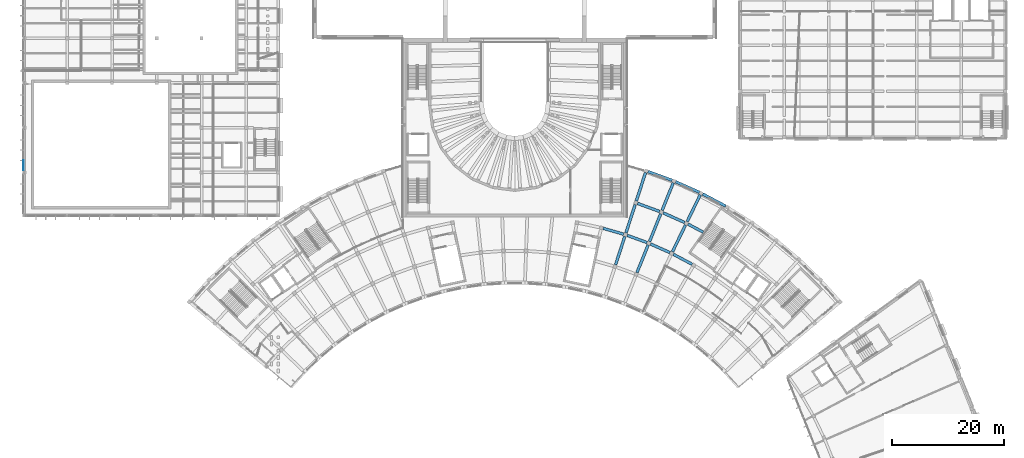
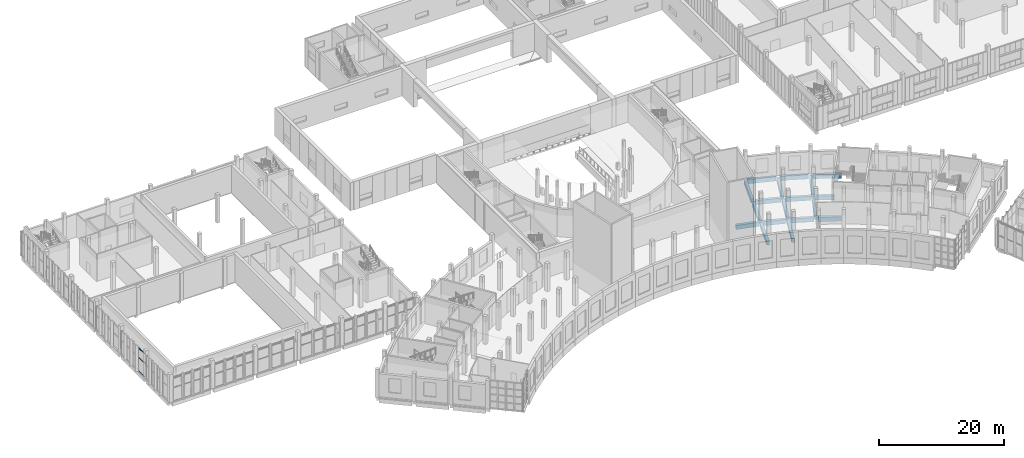
# One storey, part 11 of 87: 18 beams, 3 members, 1 element without a shape of its own.
"""IFC4 building model written with IfcOpenShell, lengths in metres."""

from ifc_helpers import new_model, si_unit, direction, frame, origin, origin_2d, place, context, subcontext, project, spatial, rectangle, extrude, material, layer, layer_set, material_profile, profile_set, type_object, element, aggregate, save


model = new_model("IFC4")

# Units and contexts
model_context = context("Model", 3, precision=1e-05, world=origin(), true_north=direction((0.0, 1.0)))
body_context = subcontext(model_context, "Body", "Model", "MODEL_VIEW")
ifc_project = project(units=[si_unit("LENGTHUNIT", "METRE"), si_unit("AREAUNIT", "SQUARE_METRE"), si_unit("VOLUMEUNIT", "CUBIC_METRE"), si_unit("PLANEANGLEUNIT", "RADIAN"), si_unit("MASSUNIT", "GRAM", prefix="KILO")], contexts=[model_context])

# Site, building, storey
site_placement = place(None, origin())
site = spatial("IfcSite", under=ifc_project, at=site_placement, CompositionType="ELEMENT")
building_placement = place(site_placement, origin())
building = spatial("IfcBuilding", under=site, at=building_placement, Name="Lunette Opera House", CompositionType="ELEMENT")
storey_placement = place(building_placement, frame((0.0, 0.0, 11.5)))
storey = spatial("IfcBuildingStorey", under=building, at=storey_placement, Name="L02", CompositionType="ELEMENT", Elevation=11.5)

# Beams
ifc_material_1 = material(Name="Concrete C35/45", Category="concrete")
ifc_material_profile_1 = material_profile(ifc_material_1, rectangle(XDim=0.5, YDim=0.800048828125, at=origin_2d()), Name="RC BEAM 500X800")
ifc_profile_set_1 = profile_set([ifc_material_profile_1], Name="Concrete C35/45")
beam_type = type_object("IfcBeamType", Name="RC BEAM 500X800", PredefinedType="BEAM", material=ifc_profile_set_1)
beam_1_placement = place(storey_placement, frame((114.028076171875, 55.485107421875, -0.6201171875), z_axis=(0.309072580724, 0.951038453399, 0.0), x_axis=(-0.951038453399, 0.309072580724, 0.0)))
element("IfcBeam", 1, at=beam_1_placement, inside=storey, type_object=beam_type, Name="beam-FC-L02-L02-RB-RL-18-2", PredefinedType="BEAM", context=body_context, shape_type="SweptSolid", body=[
    extrude(rectangle(XDim=0.5, YDim=0.800048828125, at=origin_2d()), origin(), (0.0, 0.0, 1.0), 5.3193359375),
])
for number, where, z_axis, x_axis, name in (
    (2, (115.882080078125, 61.19091796875, -0.6201171875), (0.30896363271, 0.951073852896, 0.0), (-0.951073852896, 0.30896363271, 0.0), "beam-FC-L02-L02-RB-RL-18-3"),
    (3, (117.736083984375, 66.89697265625, -0.6201171875), (0.30896363271, 0.951073852896, 0.0), (-0.951073852896, 0.30896363271, 0.0), "beam-FC-L02-L02-RB-RL-18-4"),
):
    element("IfcBeam", number, at=place(storey_placement, frame(where, z_axis=z_axis, x_axis=x_axis)), inside=storey, type_object=beam_type, Name=name, PredefinedType="BEAM", context=body_context, shape_type="SweptSolid", body=[
        extrude(rectangle(XDim=0.5, YDim=0.800048828125, at=origin_2d()), origin(), (0.0, 0.0, 1.0), 5.3203125),
    ])
beam_2_placement = place(storey_placement, frame((117.85498046875, 54.092041015625, -0.6201171875), z_axis=(0.374434974163, 0.927253174771, 0.0), x_axis=(-0.927253174771, 0.374434974163, 0.0)))
element("IfcBeam", 4, at=beam_2_placement, inside=storey, type_object=beam_type, Name="beam-FC-L02-L02-RB-RL-19-2", PredefinedType="BEAM", context=body_context, shape_type="SweptSolid", body=[
    extrude(rectangle(XDim=0.5, YDim=0.800048828125, at=origin_2d()), origin(), (0.0, 0.0, 1.0), 5.31982421875),
])
for number, where, z_axis, x_axis, name in (
    (5, (120.10205078125, 59.655029296875, -0.6201171875), (0.374592790276, 0.927189431278, 0.0), (-0.927189431278, 0.374592790276, 0.0), "beam-FC-L02-L02-RB-RL-19-3"),
    (6, (122.35009765625, 65.218017578125, -0.6201171875), (0.374592790276, 0.927189431278, 0.0), (-0.927189431278, 0.374592790276, 0.0), "beam-FC-L02-L02-RB-RL-19-4"),
):
    element("IfcBeam", number, at=place(storey_placement, frame(where, z_axis=z_axis, x_axis=x_axis)), inside=storey, type_object=beam_type, Name=name, PredefinedType="BEAM", context=body_context, shape_type="SweptSolid", body=[
        extrude(rectangle(XDim=0.5, YDim=0.800048828125, at=origin_2d()), origin(), (0.0, 0.0, 1.0), 5.3203125),
    ])
beam_3_placement = place(storey_placement, frame((124.205078125, 57.827880859375, -0.6201171875), z_axis=(0.438307908837, 0.898824886756, 0.0), x_axis=(-0.898824886756, 0.438307908837, 0.0)))
element("IfcBeam", 7, at=beam_3_placement, inside=storey, type_object=beam_type, Name="beam-FC-L02-L02-RB-RL-20-3", PredefinedType="BEAM", context=body_context, shape_type="SweptSolid", body=[
    extrude(rectangle(XDim=0.5, YDim=0.800048828125, at=origin_2d()), origin(), (0.0, 0.0, 1.0), 5.320556640625),
])
beam_4_placement = place(storey_placement, frame((126.8349609375, 63.220947265625, -0.6201171875), z_axis=(0.438325987036, 0.898816070778, 0.0), x_axis=(-0.898816070778, 0.438325987036, 0.0)))
element("IfcBeam", 8, at=beam_4_placement, inside=storey, type_object=beam_type, Name="beam-FC-L02-L02-RB-RL-20-4", PredefinedType="BEAM", context=body_context, shape_type="SweptSolid", body=[
    extrude(rectangle(XDim=0.5, YDim=0.800048828125, at=origin_2d()), origin(), (0.0, 0.0, 1.0), 5.3203125),
])
beam_5_placement = place(storey_placement, frame((111.81005859375, 62.0048828125, -0.6201171875), z_axis=(0.961314416765, -0.275453430037, 0.0), x_axis=(0.275453430037, 0.961314416765, 0.0)))
element("IfcBeam", 9, at=beam_5_placement, inside=storey, type_object=beam_type, Name="beam-FC-L02-L02-RG-AR-B-RL-17", PredefinedType="BEAM", context=body_context, shape_type="SweptSolid", body=[
    extrude(rectangle(XDim=0.5, YDim=0.800048828125, at=origin_2d()), origin(), (0.0, 0.0, 1.0), 3.786376953125),
])
for number, where, z_axis, x_axis, name in (
    (10, (116.096923828125, 60.751953125, -0.6201171875), (0.939620121597, -0.342219267561, 0.0), (0.342219267561, 0.939620121597, 0.0), "beam-FC-L02-L02-RG-AR-B-RL-18"),
    (11, (120.285888671875, 59.201904296875, -0.6201171875), (0.913460283837, -0.406927892694, 0.0), (0.406927892694, 0.913460283837, 0.0), "beam-FC-L02-L02-RG-AR-B-RL-19"),
    (12, (124.35595703125, 57.363037109375, -0.6201171875), (0.883049767383, -0.469279349988, 0.0), (0.469279349988, 0.883049767383, 0.0), "beam-FC-L02-L02-RG-AR-B-RL-20"),
):
    element("IfcBeam", number, at=place(storey_placement, frame(where, z_axis=z_axis, x_axis=x_axis)), inside=storey, type_object=beam_type, Name=name, PredefinedType="BEAM", context=body_context, shape_type="SweptSolid", body=[
        extrude(rectangle(XDim=0.5, YDim=0.800048828125, at=origin_2d()), origin(), (0.0, 0.0, 1.0), 3.786865234375),
    ])
beam_6_placement = place(storey_placement, frame((117.950927734375, 66.4580078125, -0.6201171875), z_axis=(0.939627187369, -0.34219986668, 0.0), x_axis=(0.34219986668, 0.939627187369, 0.0)))
element("IfcBeam", 13, at=beam_6_placement, inside=storey, type_object=beam_type, Name="beam-FC-L02-L02-RG-AR-M2-RL-18", PredefinedType="BEAM", context=body_context, shape_type="SweptSolid", body=[
    extrude(rectangle(XDim=0.5, YDim=0.800048828125, at=origin_2d()), origin(), (0.0, 0.0, 1.0), 4.205078125),
])
beam_7_placement = place(storey_placement, frame((122.532958984375, 64.764892578125, -0.6201171875), z_axis=(0.913514477547, -0.40680621838, 0.0), x_axis=(0.40680621838, 0.913514477547, 0.0)))
element("IfcBeam", 14, at=beam_7_placement, inside=storey, type_object=beam_type, Name="beam-FC-L02-L02-RG-AR-M2-RL-19", PredefinedType="BEAM", context=body_context, shape_type="SweptSolid", body=[
    extrude(rectangle(XDim=0.5, YDim=0.800048828125, at=origin_2d()), origin(), (0.0, 0.0, 1.0), 4.205810546875),
])
beam_8_placement = place(storey_placement, frame((126.986083984375, 62.756103515625, -0.6201171875), z_axis=(0.882889359825, -0.469581066811, 0.0), x_axis=(0.469581066811, 0.882889359825, 0.0)))
element("IfcBeam", 15, at=beam_8_placement, inside=storey, type_object=beam_type, Name="beam-FC-L02-L02-RG-AR-M2-RL-20", PredefinedType="BEAM", context=body_context, shape_type="SweptSolid", body=[
    extrude(rectangle(XDim=0.5, YDim=0.800048828125, at=origin_2d()), origin(), (0.0, 0.0, 1.0), 3.045654296875),
])
for number, where, z_axis, x_axis, name in (
    (16, (119.804931640625, 72.1640625, -0.6201171875), (0.939651519364, -0.34213304745, 0.0), (0.34213304745, 0.939651519364, 0.0), "beam-FC-L02-L02-RG-AR-C-RL-18"),
    (17, (124.781005859375, 70.327880859375, -0.6201171875), (0.913445407315, -0.406961285451, 0.0), (0.406961285451, 0.913445407315, 0.0), "beam-FC-L02-L02-RG-AR-C-RL-19"),
):
    element("IfcBeam", number, at=place(storey_placement, frame(where, z_axis=z_axis, x_axis=x_axis)), inside=storey, type_object=beam_type, Name=name, PredefinedType="BEAM", context=body_context, shape_type="SweptSolid", body=[
        extrude(rectangle(XDim=0.5, YDim=0.800048828125, at=origin_2d()), origin(), (0.0, 0.0, 1.0), 4.6240234375),
    ])
beam_9_placement = place(storey_placement, frame((129.615966796875, 68.14794921875, -0.6201171875), z_axis=(0.883088377591, -0.469206689385, 0.0), x_axis=(0.469206689385, 0.883088377591, 0.0)))
element("IfcBeam", 18, at=beam_9_placement, inside=storey, type_object=beam_type, Name="beam-FC-L02-L02-RG-AR-C-RL-20", PredefinedType="BEAM", context=body_context, shape_type="SweptSolid", body=[
    extrude(rectangle(XDim=0.5, YDim=0.800048828125, at=origin_2d()), origin(), (0.0, 0.0, 1.0), 4.624755859375),
])

# Curtain wall, members
ifc_material_2 = material(Name="Aluminium", Category="aluminium")
ifc_layer = layer(ifc_material_2, 0.179931640625)
ifc_layer_set = layer_set([ifc_layer], Name="Aluminium")
curtain_wall_type = type_object("IfcCurtainWallType", Name="SUN FACE CURTAIN WALL", PredefinedType="NOTDEFINED", material=ifc_layer_set)
curtain_wall_placement = place(storey_placement, origin())
curtain_wall = element("IfcCurtainWall", 19, at=curtain_wall_placement, inside=storey, type_object=curtain_wall_type, Name="Sun Face Curtain Wall F17 L02", PredefinedType="NOTDEFINED")
ifc_material_3 = material(Name="Aluminium", Category="aluminium")
ifc_material_profile_2 = material_profile(ifc_material_3, rectangle(XDim=0.06005859375, YDim=0.139892578125, at=origin_2d()), Name="TRANSOM 60 X 140")
ifc_profile_set_2 = profile_set([ifc_material_profile_2], Name="Aluminium")
member_type = type_object("IfcMemberType", Name="TRANSOM 60 X 140", PredefinedType="USERDEFINED", material=ifc_profile_set_2)
member_1_placement = place(storey_placement, frame((8.181884765625, 74.135009765625, 0.030029296875), z_axis=(0.0, -1.0, 0.0), x_axis=(1.0, 0.0, 0.0)))
member_1 = element("IfcMember", 20, at=member_1_placement, type_object=member_type, Name="RW-X2033 transom 4.1", ObjectType="TRANSOM", PredefinedType="USERDEFINED", context=body_context, shape_type="SweptSolid", body=[
    extrude(rectangle(XDim=0.06005859375, YDim=0.139892578125, at=origin_2d()), origin(), (0.0, 0.0, 1.0), 1.7451171875),
])
member_2_placement = place(storey_placement, frame((8.181884765625, 74.135009765625, 2.675048828125), z_axis=(0.0, -1.0, 0.0), x_axis=(1.0, 0.0, 0.0)))
member_2 = element("IfcMember", 21, at=member_2_placement, type_object=member_type, Name="RW-X2033 transom 4.2", ObjectType="TRANSOM", PredefinedType="USERDEFINED", context=body_context, shape_type="SweptSolid", body=[
    extrude(rectangle(XDim=0.06005859375, YDim=0.139892578125, at=origin_2d()), origin(), (0.0, 0.0, 1.0), 1.7451171875),
])
member_3_placement = place(storey_placement, frame((8.181884765625, 74.135009765625, 4.52001953125), z_axis=(0.0, -1.0, 0.0), x_axis=(1.0, 0.0, 0.0)))
member_3 = element("IfcMember", 22, at=member_3_placement, type_object=member_type, Name="RW-X2033 transom 4.3", ObjectType="TRANSOM", PredefinedType="USERDEFINED", context=body_context, shape_type="SweptSolid", body=[
    extrude(rectangle(XDim=0.06005859375, YDim=0.139892578125, at=origin_2d()), origin(), (0.0, 0.0, 1.0), 1.7451171875),
])
aggregate(curtain_wall, [member_1, member_2, member_3])

save(model, "model.ifc")
